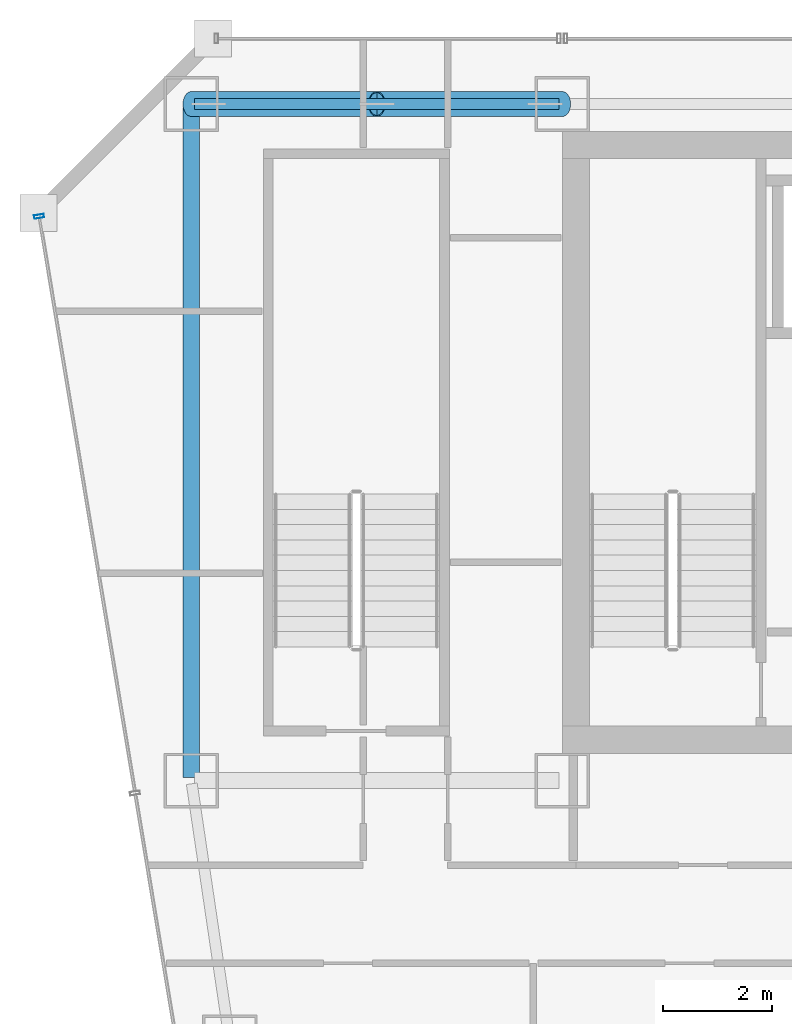
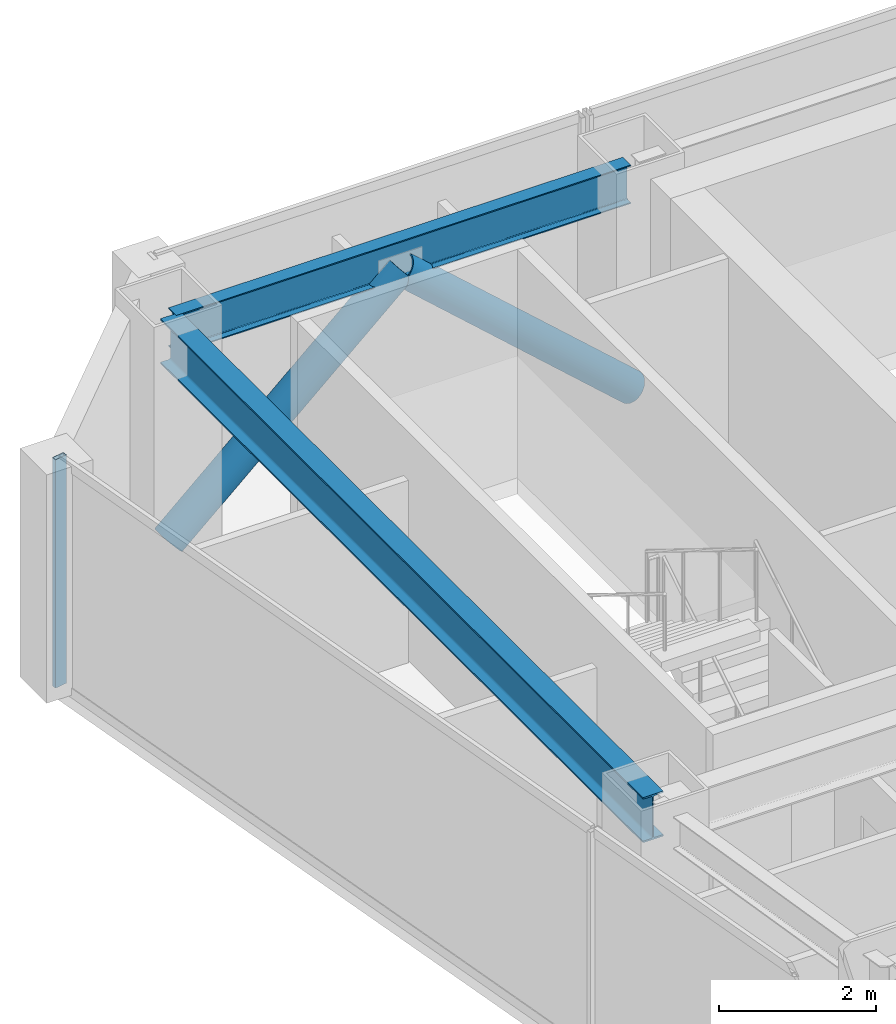
# One storey, part 20 of 37: 3 members, 2 beams, 1 element without a shape of its own.
"""IFC4 building model written with IfcOpenShell, lengths in metres."""

from ifc_helpers import new_model, si_unit, direction, frame, origin, origin_2d, place, context, subcontext, project, spatial, hollow_rectangle, hollow_circle, i_section, extrude, material, material_profile, profile_set, type_object, element, aggregate, save


model = new_model("IFC4")

# Units and contexts
model_context = context("Model", 3, precision=1e-05, world=origin(), true_north=direction((0.0, 1.0)))
body_context = subcontext(model_context, "Body", "Model", "MODEL_VIEW")
ifc_project = project(units=[si_unit("LENGTHUNIT", "METRE"), si_unit("AREAUNIT", "SQUARE_METRE"), si_unit("VOLUMEUNIT", "CUBIC_METRE"), si_unit("PLANEANGLEUNIT", "RADIAN"), si_unit("MASSUNIT", "GRAM", prefix="KILO")], contexts=[model_context])

# Site, building, storey
site_placement = place(None, origin())
site = spatial("IfcSite", under=ifc_project, at=site_placement, CompositionType="ELEMENT")
building_placement = place(site_placement, origin())
building = spatial("IfcBuilding", under=site, at=building_placement, Name="Saevonmaru Cultural Tower", CompositionType="ELEMENT")
storey_placement = place(building_placement, frame((0.0, 0.0, 163.800048828125)))
storey = spatial("IfcBuildingStorey", under=building, at=storey_placement, Name="L36", CompositionType="ELEMENT", Elevation=163.800048828125)

# Beams
ifc_material_1 = material(Name="Steel SM355", Category="steel")
ifc_material_profile_1 = material_profile(ifc_material_1, i_section(OverallWidth=0.300048828125, OverallDepth=0.699951171875, WebThickness=0.012939453125, FlangeThickness=0.02392578125, FilletRadius=0.02587890625, at=origin_2d()), Name="H-700x300x13x24")
ifc_profile_set_1 = profile_set([ifc_material_profile_1], Name="Steel SM355")
beam_type_1 = type_object("IfcBeamType", Name="BM-G-H700", PredefinedType="BEAM", material=ifc_profile_set_1)
beam_1_placement = place(storey_placement, frame((6.800048828125, 54.739990234375, 3.199951171875), z_axis=(0.0, -1.0, 0.0), x_axis=(1.0, 0.0, 0.0)))
element("IfcBeam", 1, at=beam_1_placement, inside=storey, type_object=beam_type_1, Name="L36 Spine Transverse Girder W", PredefinedType="BEAM", context=body_context, shape_type="SweptSolid", body=[
    extrude(i_section(OverallWidth=0.300048828125, OverallDepth=0.699951171875, WebThickness=0.012939453125, FlangeThickness=0.02392578125, FilletRadius=0.02587890625, at=origin_2d()), origin(), (0.0, 0.0, 1.0), 12.280029296875),
])
ifc_material_profile_2 = material_profile(ifc_material_1, i_section(OverallWidth=0.199951171875, OverallDepth=0.60009765625, WebThickness=0.010986328125, FlangeThickness=0.01708984375, FilletRadius=0.02197265625, at=origin_2d()), Name="H-600x200x11x17")
ifc_profile_set_2 = profile_set([ifc_material_profile_2], Name="Steel SM355")
beam_type_2 = type_object("IfcBeamType", Name="BM-SP-H600", PredefinedType="SPANDREL", material=ifc_profile_set_2)
beam_2_placement = place(storey_placement, frame((6.860107421875, 54.800048828125, 3.25), z_axis=(1.0, 0.0, 0.0), x_axis=(0.0, 1.0, 0.0)))
element("IfcBeam", 2, at=beam_2_placement, inside=storey, type_object=beam_type_2, Name="L36 North Spine Girder 1", PredefinedType="SPANDREL", context=body_context, shape_type="SweptSolid", body=[
    extrude(i_section(OverallWidth=0.199951171875, OverallDepth=0.60009765625, WebThickness=0.010986328125, FlangeThickness=0.01708984375, FilletRadius=0.02197265625, at=origin_2d()), origin(), (0.0, 0.0, 1.0), 6.679931640625),
])

# Members
ifc_material_2 = material(Name="Steel SM420", Category="steel")
ifc_material_profile_3 = material_profile(ifc_material_2, hollow_circle(Radius=0.228515625, WallThickness=0.02001953125, at=origin_2d()), Name="CHS-457.2x20")
ifc_profile_set_3 = profile_set([ifc_material_profile_3], Name="Steel SM420")
member_type_1 = type_object("IfcMemberType", Name="MB-PBR-CHS457", PredefinedType="BRACE", material=ifc_profile_set_3)
for number, where, z_axis, x_axis, name in (
    (3, (6.800048828125, 54.800048828125, 0.02001953125), (0.744366945704, 0.0, 0.667770806597), (0.0, 1.0, 0.0), "L36 Perimeter Braced-Tube Diagonal WN1"),
    (4, (13.60009765625, 54.800048828125, 0.02001953125), (-0.744390779303, 0.0, 0.66774423823), (0.0, -1.0, 0.0), "L36 Perimeter Braced-Tube Diagonal WN2"),
):
    element("IfcMember", number, at=place(storey_placement, frame(where, z_axis=z_axis, x_axis=x_axis)), inside=storey, type_object=member_type_1, Name=name, PredefinedType="BRACE", context=body_context, shape_type="SweptSolid", body=[
        extrude(hollow_circle(Radius=0.228515625, WallThickness=0.02001953125, at=origin_2d()), origin(), (0.0, 0.0, 1.0), 4.567626953125),
    ])

# Curtain wall, member
ifc_material_3 = material(Name="Satin Bronze Anodised Aluminium", Category="aluminium")
curtain_wall_type = type_object("IfcCurtainWallType", Name="CW-TYP-A", PredefinedType="NOTDEFINED", material=ifc_material_3)
curtain_wall_placement = place(storey_placement, origin())
curtain_wall = element("IfcCurtainWall", 5, at=curtain_wall_placement, inside=storey, type_object=curtain_wall_type, Name="L36 Unitised Curtain Wall E12", PredefinedType="NOTDEFINED")
ifc_material_profile_4 = material_profile(ifc_material_3, hollow_rectangle(XDim=0.06494140625, YDim=0.179931640625, WallThickness=0.00390625, at=origin_2d()), Name="ALU-MULL-180x65x4")
ifc_profile_set_4 = profile_set([ifc_material_profile_4], Name="Satin Bronze Anodised Aluminium")
member_type_2 = type_object("IfcMemberType", Name="ML-CW-180x65", PredefinedType="MULLION", material=ifc_profile_set_4)
member_placement = place(storey_placement, frame((4.009765625, 52.74072265625, 0.0), z_axis=(0.0, 0.0, 1.0), x_axis=(0.163998702345, -0.986460554523, 0.0)))
member = element("IfcMember", 6, at=member_placement, type_object=member_type_2, Name="CW-TW-L36-E12 mullion 1", PredefinedType="MULLION", context=body_context, shape_type="SweptSolid", body=[
    extrude(hollow_rectangle(XDim=0.06494140625, YDim=0.179931640625, WallThickness=0.00390625, at=origin_2d()), origin(), (0.0, 0.0, 1.0), 3.550048828125),
])
aggregate(curtain_wall, [member])

save(model, "model.ifc")
